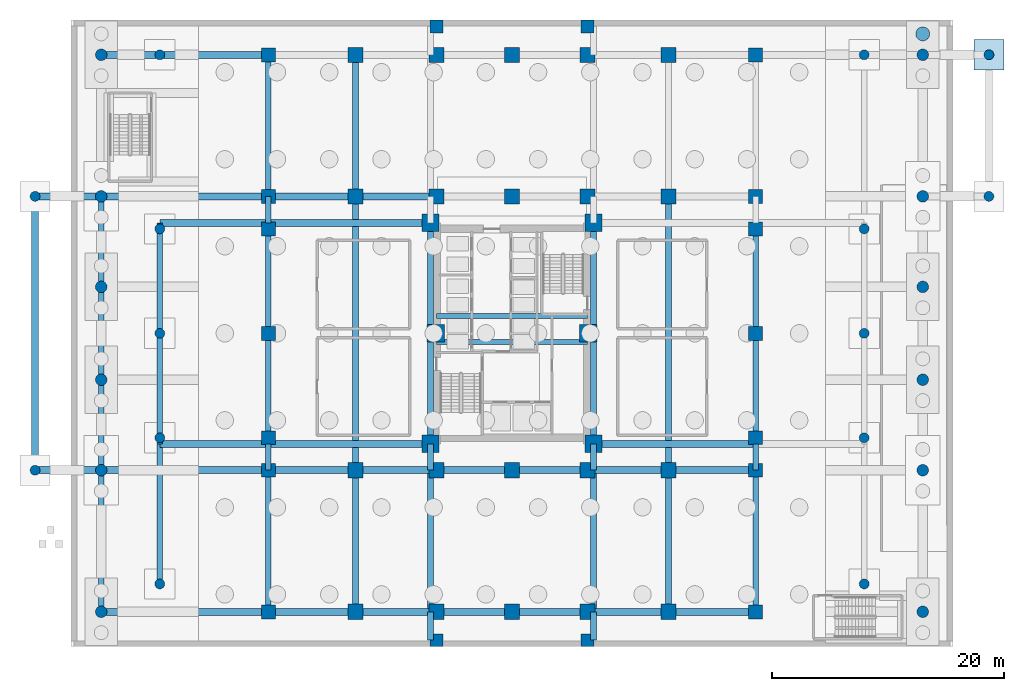
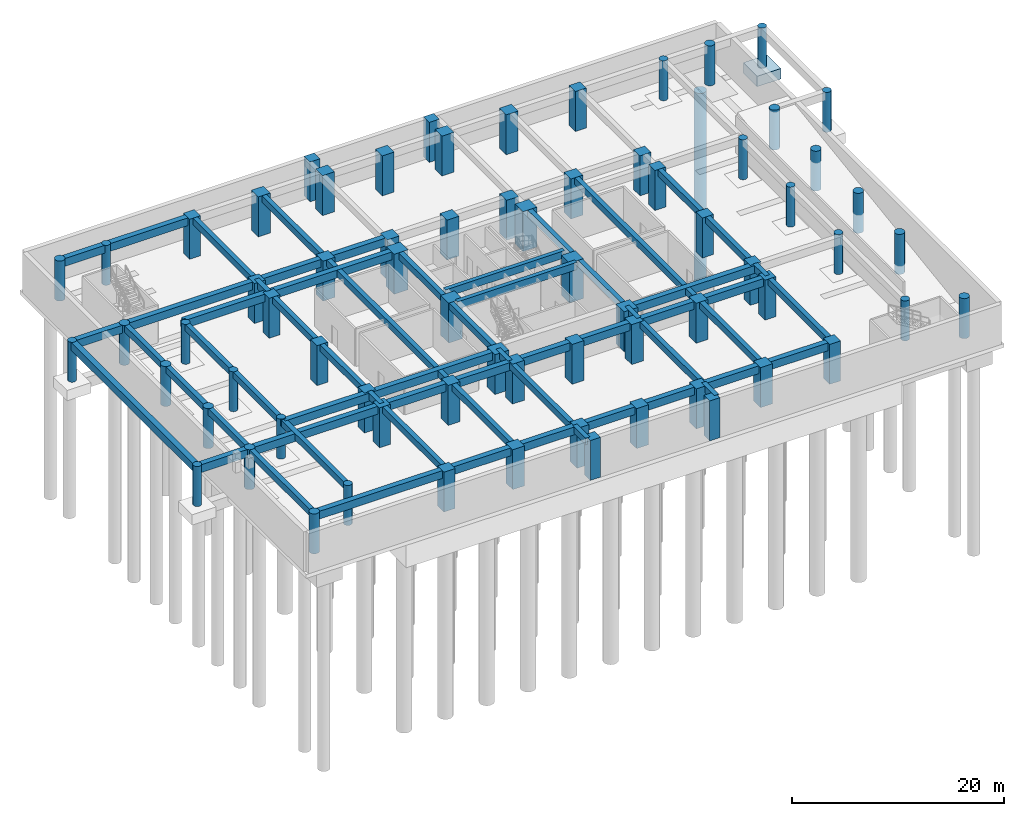
# One storey, part 2 of 14: 70 columns, 59 beams, 1 footing, 1 pile.
"""IFC4 building model written with IfcOpenShell, lengths in metres."""

from ifc_helpers import new_model, si_unit, direction, frame, origin, origin_2d, place, context, subcontext, project, spatial, rectangle, circle, extrude, source, transform, mapped, material, material_profile, profile_set, type_object, element, save


model = new_model("IFC4")

# Units and contexts
model_context = context("Model", 3, precision=1e-05, world=origin(), true_north=direction((0.0, 1.0)))
body_context = subcontext(model_context, "Body", "Model", "MODEL_VIEW")
ifc_project = project(units=[si_unit("LENGTHUNIT", "METRE"), si_unit("AREAUNIT", "SQUARE_METRE"), si_unit("VOLUMEUNIT", "CUBIC_METRE"), si_unit("PLANEANGLEUNIT", "RADIAN"), si_unit("MASSUNIT", "GRAM", prefix="KILO")], contexts=[model_context])

# Site, building, storey
site_placement = place(None, origin())
site = spatial("IfcSite", under=ifc_project, at=site_placement, CompositionType="ELEMENT")
building_placement = place(site_placement, origin())
building = spatial("IfcBuilding", under=site, at=building_placement, Name="Saelheon Loggia Tower", CompositionType="ELEMENT")
storey_placement = place(building_placement, frame((0.0, 0.0, -9.199951171875)))
storey = spatial("IfcBuildingStorey", under=building, at=storey_placement, Name="B2", CompositionType="ELEMENT", Elevation=-9.199951171875)

# Pile
ifc_material_1 = material(Name="Concrete C50/60", Category="concrete")
ifc_material_profile_1 = material_profile(ifc_material_1, circle(Radius=0.60009765625, at=origin_2d()), Name="CIRC-1200")
ifc_profile_set_1 = profile_set([ifc_material_profile_1], Name="Concrete C50/60")
pile_type = type_object("IfcPileType", Name="Pile_Bored_P2_1200", PredefinedType="BORED", material=ifc_profile_set_1)
shared_shape_1 = source(origin(), body_context, "Body", "SweptSolid", [
    extrude(circle(Radius=0.60009765625, at=origin_2d()), origin(), (0.0, 0.0, 1.0), 22.0),
])
pile_placement = place(storey_placement, frame((73.39990234375, 52.800048828125, -1.900146484375), z_axis=(0.0, 0.0, -1.0), x_axis=(1.0, 0.0, 0.0)))
element("IfcPile", 1, at=pile_placement, inside=storey, type_object=pile_type, Name="Bored Rock-Socketed Pile P2-024", PredefinedType="BORED", context=body_context, shape_type="MappedRepresentation", body=[
    mapped(shared_shape_1, transform((0.0, 0.0, 0.0), scale=1.0)),
])

# Footing
footing_type = type_object("IfcFootingType", Name="Footing_Pad_PD1", PredefinedType="PAD_FOOTING", material=ifc_material_1)
shared_shape_2 = source(origin(), body_context, "Body", "SweptSolid", [
    extrude(rectangle(XDim=2.60009765625, YDim=2.60009765625, at=origin_2d()), origin(), (0.0, 0.0, 1.0), 1.199951171875),
])
footing_placement = place(storey_placement, frame((79.10009765625, 51.0, -1.2001953125), z_axis=(0.0, 0.0, 1.0), x_axis=(1.0, 0.0, 0.0)))
element("IfcFooting", 2, at=footing_placement, inside=storey, type_object=footing_type, Name="Substructure Pad Footing FT-PD1-14", PredefinedType="PAD_FOOTING", context=body_context, shape_type="MappedRepresentation", body=[
    mapped(shared_shape_2, transform((0.0, 0.0, 0.0), scale=1.0)),
])

# Columns
ifc_material_2 = material(Name="Concrete C60/75", Category="concrete")
ifc_material_profile_2 = material_profile(ifc_material_2, rectangle(XDim=1.5, YDim=1.5, at=origin_2d()), Name="RC-1500x1500")
ifc_profile_set_2 = profile_set([ifc_material_profile_2], Name="Concrete C60/75")
column_type_1 = type_object("IfcColumnType", Name="Col_Core_RC1500", PredefinedType="COLUMN", material=ifc_profile_set_2)
shared_shape_3 = source(origin(), body_context, "Body", "SweptSolid", [
    extrude(rectangle(XDim=1.5, YDim=1.5, at=origin_2d()), origin(), (0.0, 0.0, 1.0), 4.599853515625),
])
for number, where, z_axis, x_axis, name in (
    (3, (30.97998046875, 17.47998046875, 0.0), (0.0, 0.0, 1.0), (1.0, 0.0, 0.0), "B2 Core Column CR-SW"),
    (4, (45.02001953125, 17.47998046875, 0.0), (0.0, 0.0, 1.0), (1.0, 0.0, 0.0), "B2 Core Column CR-SE"),
    (5, (30.97998046875, 36.52001953125, 0.0), (0.0, 0.0, 1.0), (1.0, 0.0, 0.0), "B2 Core Column CR-NW"),
    (6, (45.02001953125, 36.52001953125, 0.0), (0.0, 0.0, 1.0), (1.0, 0.0, 0.0), "B2 Core Column CR-NE"),
    (7, (31.419921875, 27.0, 0.0), (0.0, 0.0, 1.0), (1.0, 0.0, 0.0), "B2 Core Column CR-MW"),
    (8, (44.580078125, 27.0, 0.0), (0.0, 0.0, 1.0), (1.0, 0.0, 0.0), "B2 Core Column CR-ME"),
):
    element("IfcColumn", number, at=place(storey_placement, frame(where, z_axis=z_axis, x_axis=x_axis)), inside=storey, type_object=column_type_1, Name=name, PredefinedType="COLUMN", context=body_context, shape_type="MappedRepresentation", body=[
        mapped(shared_shape_3, transform((0.0, 0.0, 0.0), scale=1.0)),
    ])
ifc_material_profile_3 = material_profile(ifc_material_1, circle(Radius=0.5, at=origin_2d()), Name="CIRC-1000")
ifc_profile_set_3 = profile_set([ifc_material_profile_3], Name="Concrete C50/60")
column_type_2 = type_object("IfcColumnType", Name="Col_Podium_CIRC1000", PredefinedType="COLUMN", material=ifc_profile_set_3)
shared_shape_4 = source(origin(), body_context, "Body", "SweptSolid", [
    extrude(circle(Radius=0.5, at=origin_2d()), origin(), (0.0, 0.0, 1.0), 4.599853515625),
])
for number, where, z_axis, x_axis, name in (
    (9, (2.60009765625, 3.0, 0.0), (0.0, 0.0, 1.0), (1.0, 0.0, 0.0), "B2 Podium Column PW1"),
    (10, (73.39990234375, 3.0, 0.0), (0.0, 0.0, 1.0), (1.0, 0.0, 0.0), "B2 Podium Column PE1"),
    (11, (2.60009765625, 15.199951171875, 0.0), (0.0, 0.0, 1.0), (1.0, 0.0, 0.0), "B2 Podium Column PW2"),
    (12, (73.39990234375, 15.199951171875, 0.0), (0.0, 0.0, 1.0), (1.0, 0.0, 0.0), "B2 Podium Column PE2"),
    (13, (2.60009765625, 23.0, 0.0), (0.0, 0.0, 1.0), (1.0, 0.0, 0.0), "B2 Podium Column PW3"),
    (14, (73.39990234375, 23.0, 0.0), (0.0, 0.0, 1.0), (1.0, 0.0, 0.0), "B2 Podium Column PE3"),
    (15, (2.60009765625, 31.0, 0.0), (0.0, 0.0, 1.0), (1.0, 0.0, 0.0), "B2 Podium Column PW4"),
    (16, (73.39990234375, 31.0, 0.0), (0.0, 0.0, 1.0), (1.0, 0.0, 0.0), "B2 Podium Column PE4"),
    (17, (2.60009765625, 38.800048828125, 0.0), (0.0, 0.0, 1.0), (1.0, 0.0, 0.0), "B2 Podium Column PW5"),
    (18, (73.39990234375, 38.800048828125, 0.0), (0.0, 0.0, 1.0), (1.0, 0.0, 0.0), "B2 Podium Column PE5"),
    (19, (2.60009765625, 51.0, 0.0), (0.0, 0.0, 1.0), (1.0, 0.0, 0.0), "B2 Podium Column PW6"),
    (20, (73.39990234375, 51.0, 0.0), (0.0, 0.0, 1.0), (1.0, 0.0, 0.0), "B2 Podium Column PE6"),
):
    element("IfcColumn", number, at=place(storey_placement, frame(where, z_axis=z_axis, x_axis=x_axis)), inside=storey, type_object=column_type_2, Name=name, PredefinedType="COLUMN", context=body_context, shape_type="MappedRepresentation", body=[
        mapped(shared_shape_4, transform((0.0, 0.0, 0.0), scale=1.0)),
    ])
ifc_material_3 = material(Name="Concrete C45/55", Category="concrete")
ifc_material_profile_4 = material_profile(ifc_material_3, circle(Radius=0.425048828125, at=origin_2d()), Name="CIRC-850")
ifc_profile_set_4 = profile_set([ifc_material_profile_4], Name="Concrete C45/55")
column_type_3 = type_object("IfcColumnType", Name="Col_Podium_CIRC850", PredefinedType="COLUMN", material=ifc_profile_set_4)
shared_shape_5 = source(origin(), body_context, "Body", "SweptSolid", [
    extrude(circle(Radius=0.425048828125, at=origin_2d()), origin(), (0.0, 0.0, 1.0), 4.599853515625),
])
for number, where, z_axis, x_axis, name in (
    (21, (7.64990234375, 5.39990234375, 0.0), (0.0, 0.0, 1.0), (1.0, 0.0, 0.0), "B2 Podium Column PMW1"),
    (22, (68.35009765625, 5.39990234375, 0.0), (0.0, 0.0, 1.0), (1.0, 0.0, 0.0), "B2 Podium Column PME1"),
    (23, (7.64990234375, 18.0, 0.0), (0.0, 0.0, 1.0), (1.0, 0.0, 0.0), "B2 Podium Column PMW2"),
    (24, (68.35009765625, 18.0, 0.0), (0.0, 0.0, 1.0), (1.0, 0.0, 0.0), "B2 Podium Column PME2"),
    (25, (7.64990234375, 27.0, 0.0), (0.0, 0.0, 1.0), (1.0, 0.0, 0.0), "B2 Podium Column PMW3"),
    (26, (68.35009765625, 27.0, 0.0), (0.0, 0.0, 1.0), (1.0, 0.0, 0.0), "B2 Podium Column PME3"),
    (27, (7.64990234375, 36.0, 0.0), (0.0, 0.0, 1.0), (1.0, 0.0, 0.0), "B2 Podium Column PMW4"),
    (28, (68.35009765625, 36.0, 0.0), (0.0, 0.0, 1.0), (1.0, 0.0, 0.0), "B2 Podium Column PME4"),
    (29, (7.64990234375, 51.0, 0.0), (0.0, 0.0, 1.0), (1.0, 0.0, 0.0), "B2 Podium Column PMW5"),
    (30, (68.35009765625, 51.0, 0.0), (0.0, 0.0, 1.0), (1.0, 0.0, 0.0), "B2 Podium Column PME5"),
):
    element("IfcColumn", number, at=place(storey_placement, frame(where, z_axis=z_axis, x_axis=x_axis)), inside=storey, type_object=column_type_3, Name=name, PredefinedType="COLUMN", context=body_context, shape_type="MappedRepresentation", body=[
        mapped(shared_shape_5, transform((0.0, 0.0, 0.0), scale=1.0)),
    ])
ifc_material_4 = material(Name="Precast Concrete C45/55", Category="concrete")
ifc_material_profile_5 = material_profile(ifc_material_4, circle(Radius=0.425048828125, at=origin_2d()), Name="CIRC-850")
ifc_profile_set_5 = profile_set([ifc_material_profile_5], Name="Precast Concrete C45/55")
column_type_4 = type_object("IfcColumnType", Name="Col_Portico_CIRC850", PredefinedType="COLUMN", material=ifc_profile_set_5)
for number, where, z_axis, x_axis, name in (
    (31, (-3.10009765625, 15.199951171875, 0.0), (0.0, 0.0, 1.0), (1.0, 0.0, 0.0), "B2 Portico Canopy Column PRTW1"),
    (32, (-3.10009765625, 38.800048828125, 0.0), (0.0, 0.0, 1.0), (1.0, 0.0, 0.0), "B2 Portico Canopy Column PRTW2"),
    (33, (79.10009765625, 38.800048828125, 0.0), (0.0, 0.0, 1.0), (1.0, 0.0, 0.0), "B2 Portico Canopy Column PRTE1"),
    (34, (79.10009765625, 51.0, 0.0), (0.0, 0.0, 1.0), (1.0, 0.0, 0.0), "B2 Portico Canopy Column PRTE2"),
):
    element("IfcColumn", number, at=place(storey_placement, frame(where, z_axis=z_axis, x_axis=x_axis)), inside=storey, type_object=column_type_4, Name=name, PredefinedType="COLUMN", context=body_context, shape_type="MappedRepresentation", body=[
        mapped(shared_shape_5, transform((0.0, 0.0, 0.0), scale=1.0)),
    ])
ifc_material_profile_6 = material_profile(ifc_material_1, rectangle(XDim=1.199951171875, YDim=1.199951171875, at=origin_2d()), Name="RC-1200x1200")
ifc_profile_set_6 = profile_set([ifc_material_profile_6], Name="Concrete C50/60")
column_type_5 = type_object("IfcColumnType", Name="Col_Core_RC1200", PredefinedType="COLUMN", material=ifc_profile_set_6)
shared_shape_6 = source(origin(), body_context, "Body", "SweptSolid", [
    extrude(rectangle(XDim=1.199951171875, YDim=1.199951171875, at=origin_2d()), origin(), (0.0, 0.0, 1.0), 4.599853515625),
])
for number, where, z_axis, x_axis, name in (
    (35, (17.0, 3.0, 0.0), (0.0, 0.0, 1.0), (1.0, 0.0, 0.0), "B2 Podium Column PIW1"),
    (36, (59.0, 3.0, 0.0), (0.0, 0.0, 1.0), (1.0, 0.0, 0.0), "B2 Podium Column PIE1"),
    (37, (17.0, 15.199951171875, 0.0), (0.0, 0.0, 1.0), (1.0, 0.0, 0.0), "B2 Podium Column PIW2"),
    (38, (59.0, 15.199951171875, 0.0), (0.0, 0.0, 1.0), (1.0, 0.0, 0.0), "B2 Podium Column PIE2"),
    (39, (17.0, 18.0, 0.0), (0.0, 0.0, 1.0), (1.0, 0.0, 0.0), "B2 Podium Column PIW3"),
    (40, (59.0, 18.0, 0.0), (0.0, 0.0, 1.0), (1.0, 0.0, 0.0), "B2 Podium Column PIE3"),
    (41, (17.0, 27.0, 0.0), (0.0, 0.0, 1.0), (1.0, 0.0, 0.0), "B2 Podium Column PIW4"),
    (42, (59.0, 27.0, 0.0), (0.0, 0.0, 1.0), (1.0, 0.0, 0.0), "B2 Podium Column PIE4"),
    (43, (17.0, 36.0, 0.0), (0.0, 0.0, 1.0), (1.0, 0.0, 0.0), "B2 Podium Column PIW5"),
    (44, (59.0, 36.0, 0.0), (0.0, 0.0, 1.0), (1.0, 0.0, 0.0), "B2 Podium Column PIE5"),
    (45, (17.0, 38.800048828125, 0.0), (0.0, 0.0, 1.0), (1.0, 0.0, 0.0), "B2 Podium Column PIW6"),
    (46, (59.0, 38.800048828125, 0.0), (0.0, 0.0, 1.0), (1.0, 0.0, 0.0), "B2 Podium Column PIE6"),
    (47, (17.0, 51.0, 0.0), (0.0, 0.0, 1.0), (1.0, 0.0, 0.0), "B2 Podium Column PIW7"),
    (48, (59.0, 51.0, 0.0), (0.0, 0.0, 1.0), (1.0, 0.0, 0.0), "B2 Podium Column PIE7"),
):
    element("IfcColumn", number, at=place(storey_placement, frame(where, z_axis=z_axis, x_axis=x_axis)), inside=storey, type_object=column_type_5, Name=name, PredefinedType="COLUMN", context=body_context, shape_type="MappedRepresentation", body=[
        mapped(shared_shape_6, transform((0.0, 0.0, 0.0), scale=1.0)),
    ])
ifc_material_profile_7 = material_profile(ifc_material_2, rectangle(XDim=1.300048828125, YDim=1.300048828125, at=origin_2d()), Name="RC-1300x1300")
ifc_profile_set_7 = profile_set([ifc_material_profile_7], Name="Concrete C60/75")
column_type_6 = type_object("IfcColumnType", Name="Col_Perim_RC1300", PredefinedType="COLUMN", material=ifc_profile_set_7)
shared_shape_7 = source(origin(), body_context, "Body", "SweptSolid", [
    extrude(rectangle(XDim=1.300048828125, YDim=1.300048828125, at=origin_2d()), origin(), (0.0, 0.0, 1.0), 4.599853515625),
])
for number, where, z_axis, x_axis, name in (
    (49, (24.5, 3.0, 0.0), (0.0, 0.0, 1.0), (1.0, 0.0, 0.0), "B2 Podium Column C24Y030"),
    (50, (24.5, 15.199951171875, 0.0), (0.0, 0.0, 1.0), (1.0, 0.0, 0.0), "B2 Podium Column C24Y152"),
    (51, (24.5, 38.800048828125, 0.0), (0.0, 0.0, 1.0), (1.0, 0.0, 0.0), "B2 Podium Column C24Y388"),
    (52, (24.5, 51.0, 0.0), (0.0, 0.0, 1.0), (1.0, 0.0, 0.0), "B2 Podium Column C24Y510"),
    (53, (31.5, 3.0, 0.0), (0.0, 0.0, 1.0), (1.0, 0.0, 0.0), "B2 Podium Column C31Y030"),
    (54, (31.5, 15.199951171875, 0.0), (0.0, 0.0, 1.0), (1.0, 0.0, 0.0), "B2 Podium Column C31Y152"),
    (55, (31.5, 38.800048828125, 0.0), (0.0, 0.0, 1.0), (1.0, 0.0, 0.0), "B2 Podium Column C31Y388"),
    (56, (31.5, 51.0, 0.0), (0.0, 0.0, 1.0), (1.0, 0.0, 0.0), "B2 Podium Column C31Y510"),
    (57, (38.0, 3.0, 0.0), (0.0, 0.0, 1.0), (1.0, 0.0, 0.0), "B2 Podium Column C38Y030"),
    (58, (38.0, 15.199951171875, 0.0), (0.0, 0.0, 1.0), (1.0, 0.0, 0.0), "B2 Podium Column C38Y152"),
    (59, (38.0, 38.800048828125, 0.0), (0.0, 0.0, 1.0), (1.0, 0.0, 0.0), "B2 Podium Column C38Y388"),
    (60, (38.0, 51.0, 0.0), (0.0, 0.0, 1.0), (1.0, 0.0, 0.0), "B2 Podium Column C38Y510"),
    (61, (44.5, 3.0, 0.0), (0.0, 0.0, 1.0), (1.0, 0.0, 0.0), "B2 Podium Column C44Y030"),
    (62, (44.5, 15.199951171875, 0.0), (0.0, 0.0, 1.0), (1.0, 0.0, 0.0), "B2 Podium Column C44Y152"),
    (63, (44.5, 38.800048828125, 0.0), (0.0, 0.0, 1.0), (1.0, 0.0, 0.0), "B2 Podium Column C44Y388"),
    (64, (44.5, 51.0, 0.0), (0.0, 0.0, 1.0), (1.0, 0.0, 0.0), "B2 Podium Column C44Y510"),
    (65, (51.5, 3.0, 0.0), (0.0, 0.0, 1.0), (1.0, 0.0, 0.0), "B2 Podium Column C51Y030"),
    (66, (51.5, 15.199951171875, 0.0), (0.0, 0.0, 1.0), (1.0, 0.0, 0.0), "B2 Podium Column C51Y152"),
    (67, (51.5, 38.800048828125, 0.0), (0.0, 0.0, 1.0), (1.0, 0.0, 0.0), "B2 Podium Column C51Y388"),
    (68, (51.5, 51.0, 0.0), (0.0, 0.0, 1.0), (1.0, 0.0, 0.0), "B2 Podium Column C51Y510"),
):
    element("IfcColumn", number, at=place(storey_placement, frame(where, z_axis=z_axis, x_axis=x_axis)), inside=storey, type_object=column_type_6, Name=name, PredefinedType="COLUMN", context=body_context, shape_type="MappedRepresentation", body=[
        mapped(shared_shape_7, transform((0.0, 0.0, 0.0), scale=1.0)),
    ])
ifc_material_profile_8 = material_profile(ifc_material_1, rectangle(XDim=1.10009765625, YDim=1.10009765625, at=origin_2d()), Name="RC-1100x1100")
ifc_profile_set_8 = profile_set([ifc_material_profile_8], Name="Concrete C50/60")
column_type_7 = type_object("IfcColumnType", Name="Col_PerimExt_RC1100", PredefinedType="COLUMN", material=ifc_profile_set_8)
shared_shape_8 = source(origin(), body_context, "Body", "SweptSolid", [
    extrude(rectangle(XDim=1.10009765625, YDim=1.10009765625, at=origin_2d()), origin(), (0.0, 0.0, 1.0), 4.599853515625),
])
for number, where, z_axis, x_axis, name in (
    (69, (31.5, 0.550048828125, 0.0), (0.0, 0.0, 1.0), (1.0, 0.0, 0.0), "B2 Podium Column C31Y006"),
    (70, (31.5, 53.449951171875, 0.0), (0.0, 0.0, 1.0), (1.0, 0.0, 0.0), "B2 Podium Column C31Y534"),
    (71, (44.5, 0.550048828125, 0.0), (0.0, 0.0, 1.0), (1.0, 0.0, 0.0), "B2 Podium Column C44Y006"),
    (72, (44.5, 53.449951171875, 0.0), (0.0, 0.0, 1.0), (1.0, 0.0, 0.0), "B2 Podium Column C44Y534"),
):
    element("IfcColumn", number, at=place(storey_placement, frame(where, z_axis=z_axis, x_axis=x_axis)), inside=storey, type_object=column_type_7, Name=name, PredefinedType="COLUMN", context=body_context, shape_type="MappedRepresentation", body=[
        mapped(shared_shape_8, transform((0.0, 0.0, 0.0), scale=1.0)),
    ])

# Beams
ifc_material_profile_9 = material_profile(ifc_material_1, rectangle(XDim=0.449951171875, YDim=0.85009765625, at=origin_2d()), Name="RC-450x850")
ifc_profile_set_9 = profile_set([ifc_material_profile_9], Name="Concrete C50/60")
beam_type_1 = type_object("IfcBeamType", Name="Beam_CoreLintel_RC450x850", PredefinedType="LINTEL", material=ifc_profile_set_9)
shared_shape_9 = source(origin(), body_context, "Body", "SweptSolid", [
    extrude(rectangle(XDim=0.449951171875, YDim=0.85009765625, at=origin_2d()), origin(), (0.0, 0.0, 1.0), 13.0),
])
for number, where, z_axis, x_axis, name in (
    (73, (31.5, 26.25, 4.175048828125), (1.0, 0.0, 0.0), (0.0, 1.0, 0.0), "B2 Core Coupling Lintel 1"),
    (74, (31.5, 28.5, 4.175048828125), (1.0, 0.0, 0.0), (0.0, 1.0, 0.0), "B2 Core Coupling Lintel 2"),
):
    element("IfcBeam", number, at=place(storey_placement, frame(where, z_axis=z_axis, x_axis=x_axis)), inside=storey, type_object=beam_type_1, Name=name, PredefinedType="LINTEL", context=body_context, shape_type="MappedRepresentation", body=[
        mapped(shared_shape_9, transform((0.0, 0.0, 0.0), scale=1.0)),
    ])
ifc_material_profile_10 = material_profile(ifc_material_1, rectangle(XDim=0.60009765625, YDim=0.89990234375, at=origin_2d()), Name="RC-600x900")
ifc_profile_set_10 = profile_set([ifc_material_profile_10], Name="Concrete C50/60")
beam_type_2 = type_object("IfcBeamType", Name="Beam_PorticoSub_RC600x900", PredefinedType="BEAM", material=ifc_profile_set_10)
shared_shape_10 = source(origin(), body_context, "Body", "SweptSolid", [
    extrude(rectangle(XDim=0.60009765625, YDim=0.89990234375, at=origin_2d()), origin(), (0.0, 0.0, 1.0), 5.7001953125),
])
for number, where, z_axis, x_axis, name in (
    (75, (-3.10009765625, 15.199951171875, 4.14990234375), (1.0, 0.0, 0.0), (0.0, 1.0, 0.0), "BM-B2-PRTW-S"),
    (76, (-3.10009765625, 38.800048828125, 4.14990234375), (1.0, 0.0, 0.0), (0.0, 1.0, 0.0), "BM-B2-PRTW-N"),
):
    element("IfcBeam", number, at=place(storey_placement, frame(where, z_axis=z_axis, x_axis=x_axis)), inside=storey, type_object=beam_type_2, Name=name, PredefinedType="BEAM", context=body_context, shape_type="MappedRepresentation", body=[
        mapped(shared_shape_10, transform((0.0, 0.0, 0.0), scale=1.0)),
    ])
shared_shape_11 = source(origin(), body_context, "Body", "SweptSolid", [
    extrude(rectangle(XDim=0.60009765625, YDim=0.89990234375, at=origin_2d()), origin(), (0.0, 0.0, 1.0), 23.60009765625),
])
beam_1_placement = place(storey_placement, frame((-3.10009765625, 15.199951171875, 4.14990234375), z_axis=(0.0, 1.0, 0.0), x_axis=(-1.0, 0.0, 0.0)))
element("IfcBeam", 77, at=beam_1_placement, inside=storey, type_object=beam_type_2, Name="BM-B2-PRTW-E", PredefinedType="BEAM", context=body_context, shape_type="MappedRepresentation", body=[
    mapped(shared_shape_11, transform((0.0, 0.0, 0.0), scale=1.0)),
])
ifc_material_profile_11 = material_profile(ifc_material_1, rectangle(XDim=0.60009765625, YDim=0.89990234375, at=origin_2d()), Name="RC-600x900")
ifc_profile_set_11 = profile_set([ifc_material_profile_11], Name="Concrete C50/60")
beam_type_3 = type_object("IfcBeamType", Name="Beam_MainGirder_RC600x900", PredefinedType="BEAM", material=ifc_profile_set_11)
shared_shape_12 = source(origin(), body_context, "Body", "SweptSolid", [
    extrude(rectangle(XDim=0.60009765625, YDim=0.89990234375, at=origin_2d()), origin(), (0.0, 0.0, 1.0), 14.39990234375),
])
for number, where, z_axis, x_axis, name in (
    (78, (2.60009765625, 3.0, 4.14990234375), (1.0, 0.0, 0.0), (0.0, 1.0, 0.0), "BM-B2-EW-3-1"),
    (79, (2.60009765625, 15.199951171875, 4.14990234375), (1.0, 0.0, 0.0), (0.0, 1.0, 0.0), "BM-B2-EW-15-1"),
    (80, (2.60009765625, 38.800048828125, 4.14990234375), (1.0, 0.0, 0.0), (0.0, 1.0, 0.0), "BM-B2-EW-38-1"),
):
    element("IfcBeam", number, at=place(storey_placement, frame(where, z_axis=z_axis, x_axis=x_axis)), inside=storey, type_object=beam_type_3, Name=name, PredefinedType="BEAM", context=body_context, shape_type="MappedRepresentation", body=[
        mapped(shared_shape_12, transform((0.0, 0.0, 0.0), scale=1.0)),
    ])
shared_shape_13 = source(origin(), body_context, "Body", "SweptSolid", [
    extrude(rectangle(XDim=0.60009765625, YDim=0.89990234375, at=origin_2d()), origin(), (0.0, 0.0, 1.0), 7.5),
])
for number, where, z_axis, x_axis, name in (
    (81, (17.0, 3.0, 4.14990234375), (1.0, 0.0, 0.0), (0.0, 1.0, 0.0), "BM-B2-EW-3-2"),
    (82, (51.5, 3.0, 4.14990234375), (1.0, 0.0, 0.0), (0.0, 1.0, 0.0), "BM-B2-EW-3-7"),
    (83, (17.0, 15.199951171875, 4.14990234375), (1.0, 0.0, 0.0), (0.0, 1.0, 0.0), "BM-B2-EW-15-2"),
    (84, (51.5, 15.199951171875, 4.14990234375), (1.0, 0.0, 0.0), (0.0, 1.0, 0.0), "BM-B2-EW-15-7"),
    (85, (17.0, 38.800048828125, 4.14990234375), (1.0, 0.0, 0.0), (0.0, 1.0, 0.0), "BM-B2-EW-38-2"),
):
    element("IfcBeam", number, at=place(storey_placement, frame(where, z_axis=z_axis, x_axis=x_axis)), inside=storey, type_object=beam_type_3, Name=name, PredefinedType="BEAM", context=body_context, shape_type="MappedRepresentation", body=[
        mapped(shared_shape_13, transform((0.0, 0.0, 0.0), scale=1.0)),
    ])
shared_shape_14 = source(origin(), body_context, "Body", "SweptSolid", [
    extrude(rectangle(XDim=0.60009765625, YDim=0.89990234375, at=origin_2d()), origin(), (0.0, 0.0, 1.0), 7.0),
])
for number, where, z_axis, x_axis, name in (
    (86, (24.5, 3.0, 4.14990234375), (1.0, 0.0, 0.0), (0.0, 1.0, 0.0), "BM-B2-EW-3-3"),
    (87, (44.5, 3.0, 4.14990234375), (1.0, 0.0, 0.0), (0.0, 1.0, 0.0), "BM-B2-EW-3-6"),
    (88, (24.5, 15.199951171875, 4.14990234375), (1.0, 0.0, 0.0), (0.0, 1.0, 0.0), "BM-B2-EW-15-3"),
    (89, (44.5, 15.199951171875, 4.14990234375), (1.0, 0.0, 0.0), (0.0, 1.0, 0.0), "BM-B2-EW-15-6"),
    (90, (24.5, 38.800048828125, 4.14990234375), (1.0, 0.0, 0.0), (0.0, 1.0, 0.0), "BM-B2-EW-38-3"),
):
    element("IfcBeam", number, at=place(storey_placement, frame(where, z_axis=z_axis, x_axis=x_axis)), inside=storey, type_object=beam_type_3, Name=name, PredefinedType="BEAM", context=body_context, shape_type="MappedRepresentation", body=[
        mapped(shared_shape_14, transform((0.0, 0.0, 0.0), scale=1.0)),
    ])
shared_shape_15 = source(origin(), body_context, "Body", "SweptSolid", [
    extrude(rectangle(XDim=0.60009765625, YDim=0.89990234375, at=origin_2d()), origin(), (0.0, 0.0, 1.0), 6.5),
])
for number, where, z_axis, x_axis, name in (
    (91, (31.5, 3.0, 4.14990234375), (1.0, 0.0, 0.0), (0.0, 1.0, 0.0), "BM-B2-EW-3-4"),
    (92, (38.0, 3.0, 4.14990234375), (1.0, 0.0, 0.0), (0.0, 1.0, 0.0), "BM-B2-EW-3-5"),
    (93, (31.5, 15.199951171875, 4.14990234375), (1.0, 0.0, 0.0), (0.0, 1.0, 0.0), "BM-B2-EW-15-4"),
    (94, (38.0, 15.199951171875, 4.14990234375), (1.0, 0.0, 0.0), (0.0, 1.0, 0.0), "BM-B2-EW-15-5"),
):
    element("IfcBeam", number, at=place(storey_placement, frame(where, z_axis=z_axis, x_axis=x_axis)), inside=storey, type_object=beam_type_3, Name=name, PredefinedType="BEAM", context=body_context, shape_type="MappedRepresentation", body=[
        mapped(shared_shape_15, transform((0.0, 0.0, 0.0), scale=1.0)),
    ])
shared_shape_16 = source(origin(), body_context, "Body", "SweptSolid", [
    extrude(rectangle(XDim=0.60009765625, YDim=0.89990234375, at=origin_2d()), origin(), (0.0, 0.0, 1.0), 5.0498046875),
])
beam_2_placement = place(storey_placement, frame((2.60009765625, 51.0, 4.14990234375), z_axis=(1.0, 0.0, 0.0), x_axis=(0.0, 1.0, 0.0)))
element("IfcBeam", 95, at=beam_2_placement, inside=storey, type_object=beam_type_3, Name="BM-B2-EW-51-1", PredefinedType="BEAM", context=body_context, shape_type="MappedRepresentation", body=[
    mapped(shared_shape_16, transform((0.0, 0.0, 0.0), scale=1.0)),
])
shared_shape_17 = source(origin(), body_context, "Body", "SweptSolid", [
    extrude(rectangle(XDim=0.60009765625, YDim=0.89990234375, at=origin_2d()), origin(), (0.0, 0.0, 1.0), 9.35009765625),
])
for number, where, z_axis, x_axis, name in (
    (96, (7.64990234375, 51.0, 4.14990234375), (1.0, 0.0, 0.0), (0.0, 1.0, 0.0), "BM-B2-EW-51-2"),
    (97, (7.64990234375, 17.47998046875, 4.14990234375), (1.0, 0.0, 0.0), (0.0, 1.0, 0.0), "BM-B2-CT-17-W1"),
    (98, (7.64990234375, 36.52001953125, 4.14990234375), (1.0, 0.0, 0.0), (0.0, 1.0, 0.0), "BM-B2-CT-36-W1"),
):
    element("IfcBeam", number, at=place(storey_placement, frame(where, z_axis=z_axis, x_axis=x_axis)), inside=storey, type_object=beam_type_3, Name=name, PredefinedType="BEAM", context=body_context, shape_type="MappedRepresentation", body=[
        mapped(shared_shape_17, transform((0.0, 0.0, 0.0), scale=1.0)),
    ])
shared_shape_18 = source(origin(), body_context, "Body", "SweptSolid", [
    extrude(rectangle(XDim=0.60009765625, YDim=0.89990234375, at=origin_2d()), origin(), (0.0, 0.0, 1.0), 13.97998046875),
])
for number, where, z_axis, x_axis, name in (
    (99, (17.0, 17.47998046875, 4.14990234375), (1.0, 0.0, 0.0), (0.0, 1.0, 0.0), "BM-B2-CT-17-W2"),
    (100, (45.02001953125, 17.47998046875, 4.14990234375), (1.0, 0.0, 0.0), (0.0, 1.0, 0.0), "BM-B2-CT-17-E2"),
    (101, (17.0, 36.52001953125, 4.14990234375), (1.0, 0.0, 0.0), (0.0, 1.0, 0.0), "BM-B2-CT-36-W2"),
):
    element("IfcBeam", number, at=place(storey_placement, frame(where, z_axis=z_axis, x_axis=x_axis)), inside=storey, type_object=beam_type_3, Name=name, PredefinedType="BEAM", context=body_context, shape_type="MappedRepresentation", body=[
        mapped(shared_shape_18, transform((0.0, 0.0, 0.0), scale=1.0)),
    ])
ifc_material_profile_12 = material_profile(ifc_material_3, rectangle(XDim=0.5, YDim=0.75, at=origin_2d()), Name="RC-500x750")
ifc_profile_set_12 = profile_set([ifc_material_profile_12], Name="Concrete C45/55")
beam_type_4 = type_object("IfcBeamType", Name="Beam_PerimGirder_RC500x750", PredefinedType="BEAM", material=ifc_profile_set_12)
shared_shape_19 = source(origin(), body_context, "Body", "SweptSolid", [
    extrude(rectangle(XDim=0.5, YDim=0.75, at=origin_2d()), origin(), (0.0, 0.0, 1.0), 12.199951171875),
])
beam_3_placement = place(storey_placement, frame((2.60009765625, 3.0, 4.224853515625), z_axis=(0.0, 1.0, 0.0), x_axis=(-1.0, 0.0, 0.0)))
element("IfcBeam", 102, at=beam_3_placement, inside=storey, type_object=beam_type_4, Name="BM-B2-NS-2-1", PredefinedType="BEAM", context=body_context, shape_type="MappedRepresentation", body=[
    mapped(shared_shape_19, transform((0.0, 0.0, 0.0), scale=1.0)),
])
ifc_material_profile_13 = material_profile(ifc_material_3, rectangle(XDim=0.5, YDim=0.75, at=origin_2d()), Name="RC-500x750")
ifc_profile_set_13 = profile_set([ifc_material_profile_13], Name="Concrete C45/55")
beam_type_5 = type_object("IfcBeamType", Name="Beam_FloorGirder_RC500x750", PredefinedType="BEAM", material=ifc_profile_set_13)
for number, where, z_axis, x_axis, name in (
    (103, (17.0, 3.0, 4.224853515625), (0.0, 1.0, 0.0), (-1.0, 0.0, 0.0), "BM-B2-NS-17-1"),
    (104, (17.0, 38.800048828125, 4.224853515625), (0.0, 1.0, 0.0), (-1.0, 0.0, 0.0), "BM-B2-NS-17-6"),
    (105, (24.5, 3.0, 4.224853515625), (0.0, 1.0, 0.0), (-1.0, 0.0, 0.0), "BM-B2-NS-24-1"),
    (106, (24.5, 38.800048828125, 4.224853515625), (0.0, 1.0, 0.0), (-1.0, 0.0, 0.0), "BM-B2-NS-24-3"),
    (107, (30.97998046875, 3.0, 4.224853515625), (0.0, 1.0, 0.0), (-1.0, 0.0, 0.0), "BM-B2-NS-30-2"),
    (108, (45.02001953125, 3.0, 4.224853515625), (0.0, 1.0, 0.0), (-1.0, 0.0, 0.0), "BM-B2-NS-45-2"),
    (109, (51.5, 3.0, 4.224853515625), (0.0, 1.0, 0.0), (-1.0, 0.0, 0.0), "BM-B2-NS-51-1"),
    (110, (59.0, 3.0, 4.224853515625), (0.0, 1.0, 0.0), (-1.0, 0.0, 0.0), "BM-B2-NS-59-1"),
):
    element("IfcBeam", number, at=place(storey_placement, frame(where, z_axis=z_axis, x_axis=x_axis)), inside=storey, type_object=beam_type_5, Name=name, PredefinedType="BEAM", context=body_context, shape_type="MappedRepresentation", body=[
        mapped(shared_shape_19, transform((0.0, 0.0, 0.0), scale=1.0)),
    ])
shared_shape_20 = source(origin(), body_context, "Body", "SweptSolid", [
    extrude(rectangle(XDim=0.5, YDim=0.75, at=origin_2d()), origin(), (0.0, 0.0, 1.0), 7.800048828125),
])
for number, where, z_axis, x_axis, name in (
    (111, (2.60009765625, 15.199951171875, 4.224853515625), (0.0, 1.0, 0.0), (-1.0, 0.0, 0.0), "BM-B2-NS-2-2"),
    (112, (2.60009765625, 31.0, 4.224853515625), (0.0, 1.0, 0.0), (-1.0, 0.0, 0.0), "BM-B2-NS-2-4"),
):
    element("IfcBeam", number, at=place(storey_placement, frame(where, z_axis=z_axis, x_axis=x_axis)), inside=storey, type_object=beam_type_4, Name=name, PredefinedType="BEAM", context=body_context, shape_type="MappedRepresentation", body=[
        mapped(shared_shape_20, transform((0.0, 0.0, 0.0), scale=1.0)),
    ])
shared_shape_21 = source(origin(), body_context, "Body", "SweptSolid", [
    extrude(rectangle(XDim=0.5, YDim=0.75, at=origin_2d()), origin(), (0.0, 0.0, 1.0), 8.0),
])
beam_4_placement = place(storey_placement, frame((2.60009765625, 23.0, 4.224853515625), z_axis=(0.0, 1.0, 0.0), x_axis=(-1.0, 0.0, 0.0)))
element("IfcBeam", 113, at=beam_4_placement, inside=storey, type_object=beam_type_4, Name="BM-B2-NS-2-3", PredefinedType="BEAM", context=body_context, shape_type="MappedRepresentation", body=[
    mapped(shared_shape_21, transform((0.0, 0.0, 0.0), scale=1.0)),
])
shared_shape_22 = source(origin(), body_context, "Body", "SweptSolid", [
    extrude(rectangle(XDim=0.5, YDim=0.75, at=origin_2d()), origin(), (0.0, 0.0, 1.0), 12.080078125),
])
beam_5_placement = place(storey_placement, frame((7.64990234375, 5.39990234375, 4.224853515625), z_axis=(0.0, 1.0, 0.0), x_axis=(-1.0, 0.0, 0.0)))
element("IfcBeam", 114, at=beam_5_placement, inside=storey, type_object=beam_type_5, Name="BM-B2-NS-7-1", PredefinedType="BEAM", context=body_context, shape_type="MappedRepresentation", body=[
    mapped(shared_shape_22, transform((0.0, 0.0, 0.0), scale=1.0)),
])
shared_shape_23 = source(origin(), body_context, "Body", "SweptSolid", [
    extrude(rectangle(XDim=0.5, YDim=0.75, at=origin_2d()), origin(), (0.0, 0.0, 1.0), 9.52001953125),
])
for number, where, z_axis, x_axis, name in (
    (115, (7.64990234375, 17.47998046875, 4.224853515625), (0.0, 1.0, 0.0), (-1.0, 0.0, 0.0), "BM-B2-NS-7-2"),
    (116, (7.64990234375, 27.0, 4.224853515625), (0.0, 1.0, 0.0), (-1.0, 0.0, 0.0), "BM-B2-NS-7-3"),
    (117, (17.0, 17.47998046875, 4.224853515625), (0.0, 1.0, 0.0), (-1.0, 0.0, 0.0), "BM-B2-NS-17-3"),
    (118, (17.0, 27.0, 4.224853515625), (0.0, 1.0, 0.0), (-1.0, 0.0, 0.0), "BM-B2-NS-17-4"),
    (119, (59.0, 17.47998046875, 4.224853515625), (0.0, 1.0, 0.0), (-1.0, 0.0, 0.0), "BM-B2-NS-59-3"),
    (120, (59.0, 27.0, 4.224853515625), (0.0, 1.0, 0.0), (-1.0, 0.0, 0.0), "BM-B2-NS-59-4"),
):
    element("IfcBeam", number, at=place(storey_placement, frame(where, z_axis=z_axis, x_axis=x_axis)), inside=storey, type_object=beam_type_5, Name=name, PredefinedType="BEAM", context=body_context, shape_type="MappedRepresentation", body=[
        mapped(shared_shape_23, transform((0.0, 0.0, 0.0), scale=1.0)),
    ])
shared_shape_24 = source(origin(), body_context, "Body", "SweptSolid", [
    extrude(rectangle(XDim=0.5, YDim=0.75, at=origin_2d()), origin(), (0.0, 0.0, 1.0), 2.280029296875),
])
for number, where, z_axis, x_axis, name in (
    (121, (17.0, 15.199951171875, 4.224853515625), (0.0, 1.0, 0.0), (-1.0, 0.0, 0.0), "BM-B2-NS-17-2"),
    (122, (17.0, 36.52001953125, 4.224853515625), (0.0, 1.0, 0.0), (-1.0, 0.0, 0.0), "BM-B2-NS-17-5"),
    (123, (30.97998046875, 15.199951171875, 4.224853515625), (0.0, 1.0, 0.0), (-1.0, 0.0, 0.0), "BM-B2-NS-30-3"),
    (124, (45.02001953125, 15.199951171875, 4.224853515625), (0.0, 1.0, 0.0), (-1.0, 0.0, 0.0), "BM-B2-NS-45-3"),
    (125, (59.0, 15.199951171875, 4.224853515625), (0.0, 1.0, 0.0), (-1.0, 0.0, 0.0), "BM-B2-NS-59-2"),
):
    element("IfcBeam", number, at=place(storey_placement, frame(where, z_axis=z_axis, x_axis=x_axis)), inside=storey, type_object=beam_type_5, Name=name, PredefinedType="BEAM", context=body_context, shape_type="MappedRepresentation", body=[
        mapped(shared_shape_24, transform((0.0, 0.0, 0.0), scale=1.0)),
    ])
shared_shape_25 = source(origin(), body_context, "Body", "SweptSolid", [
    extrude(rectangle(XDim=0.5, YDim=0.75, at=origin_2d()), origin(), (0.0, 0.0, 1.0), 23.60009765625),
])
for number, where, z_axis, x_axis, name in (
    (126, (24.5, 15.199951171875, 4.224853515625), (0.0, 1.0, 0.0), (-1.0, 0.0, 0.0), "BM-B2-NS-24-2"),
    (127, (51.5, 15.199951171875, 4.224853515625), (0.0, 1.0, 0.0), (-1.0, 0.0, 0.0), "BM-B2-NS-51-2"),
):
    element("IfcBeam", number, at=place(storey_placement, frame(where, z_axis=z_axis, x_axis=x_axis)), inside=storey, type_object=beam_type_5, Name=name, PredefinedType="BEAM", context=body_context, shape_type="MappedRepresentation", body=[
        mapped(shared_shape_25, transform((0.0, 0.0, 0.0), scale=1.0)),
    ])
shared_shape_26 = source(origin(), body_context, "Body", "SweptSolid", [
    extrude(rectangle(XDim=0.5, YDim=0.75, at=origin_2d()), origin(), (0.0, 0.0, 1.0), 2.449951171875),
])
for number, where, z_axis, x_axis, name in (
    (128, (30.97998046875, 0.550048828125, 4.224853515625), (0.0, 1.0, 0.0), (-1.0, 0.0, 0.0), "BM-B2-NS-30-1"),
    (129, (45.02001953125, 0.550048828125, 4.224853515625), (0.0, 1.0, 0.0), (-1.0, 0.0, 0.0), "BM-B2-NS-45-1"),
):
    element("IfcBeam", number, at=place(storey_placement, frame(where, z_axis=z_axis, x_axis=x_axis)), inside=storey, type_object=beam_type_5, Name=name, PredefinedType="BEAM", context=body_context, shape_type="MappedRepresentation", body=[
        mapped(shared_shape_26, transform((0.0, 0.0, 0.0), scale=1.0)),
    ])
shared_shape_27 = source(origin(), body_context, "Body", "SweptSolid", [
    extrude(rectangle(XDim=0.5, YDim=0.75, at=origin_2d()), origin(), (0.0, 0.0, 1.0), 19.0400390625),
])
for number, where, z_axis, x_axis, name in (
    (130, (30.97998046875, 17.47998046875, 4.224853515625), (0.0, 1.0, 0.0), (-1.0, 0.0, 0.0), "BM-B2-NS-30-4"),
    (131, (45.02001953125, 17.47998046875, 4.224853515625), (0.0, 1.0, 0.0), (-1.0, 0.0, 0.0), "BM-B2-NS-45-4"),
):
    element("IfcBeam", number, at=place(storey_placement, frame(where, z_axis=z_axis, x_axis=x_axis)), inside=storey, type_object=beam_type_5, Name=name, PredefinedType="BEAM", context=body_context, shape_type="MappedRepresentation", body=[
        mapped(shared_shape_27, transform((0.0, 0.0, 0.0), scale=1.0)),
    ])

save(model, "model.ifc")
